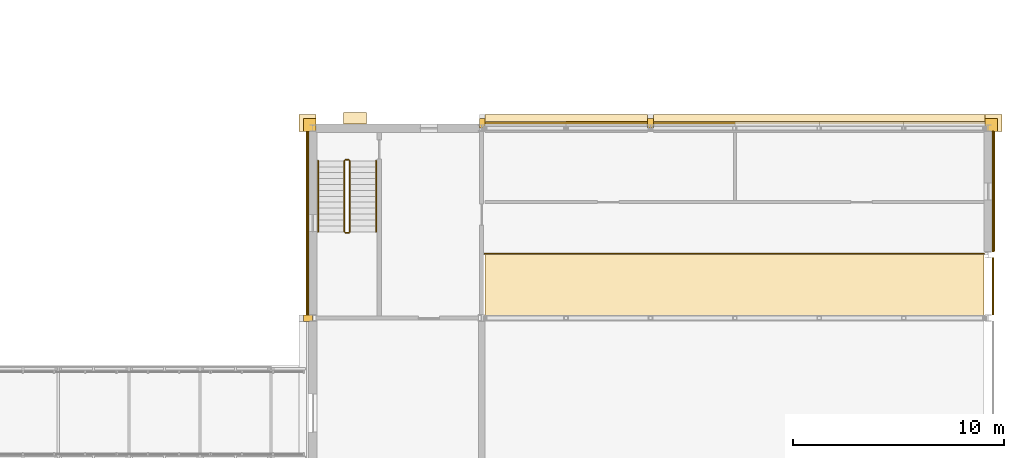
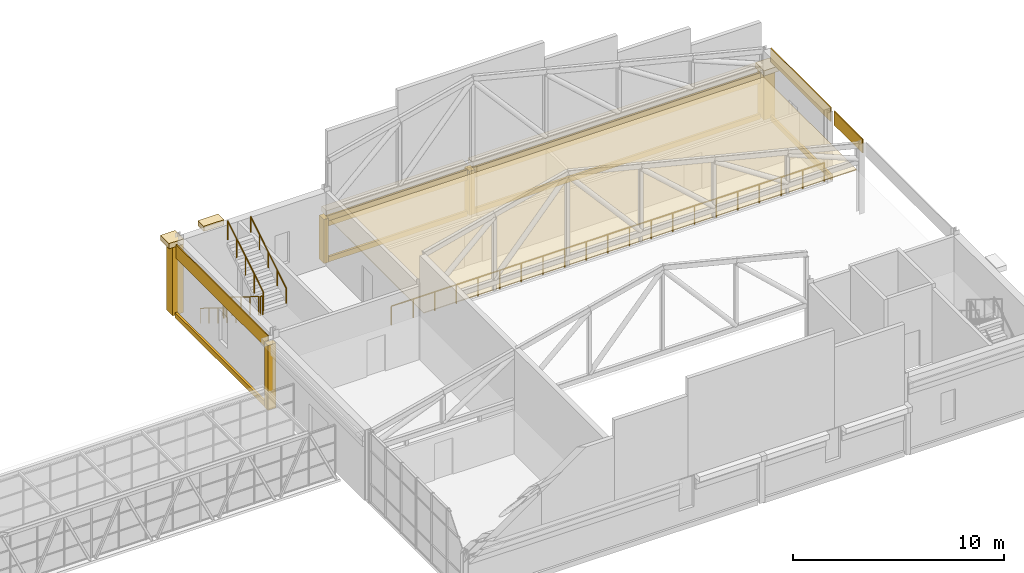
# One storey, part 146 of 149: 22 coverings, 7 railings.
"""IFC4 building model written with IfcOpenShell, lengths in metres."""

from ifc_helpers import new_model, si_unit, direction, frame, origin, origin_2d, place, context, subcontext, project, spatial, rectangle, circle, extrude, material, layer, layer_set, type_object, element, save


model = new_model("IFC4")

# Units and contexts
model_context = context("Model", 3, precision=1e-05, world=origin(), true_north=direction((0.0, 1.0)))
body_context = subcontext(model_context, "Body", "Model", "MODEL_VIEW")
ifc_project = project(units=[si_unit("LENGTHUNIT", "METRE"), si_unit("AREAUNIT", "SQUARE_METRE"), si_unit("VOLUMEUNIT", "CUBIC_METRE"), si_unit("PLANEANGLEUNIT", "RADIAN"), si_unit("MASSUNIT", "GRAM", prefix="KILO")], contexts=[model_context])

# Site, building, storey
site_placement = place(None, origin())
site = spatial("IfcSite", under=ifc_project, at=site_placement, CompositionType="ELEMENT")
building_placement = place(site_placement, origin())
building = spatial("IfcBuilding", under=site, at=building_placement, Name="Kallimachos Central Library", CompositionType="ELEMENT")
storey_placement = place(building_placement, frame((0.0, 0.0, 9.89990234375)))
storey = spatial("IfcBuildingStorey", under=building, at=storey_placement, Name="L02", CompositionType="ELEMENT", Elevation=9.89990234375)

# Covering
ifc_material_1 = material(Name="Perforated plaster panel")
ifc_layer_1 = layer(ifc_material_1, 0.050048828125)
ifc_layer_set_1 = layer_set([ifc_layer_1], Name="Acoustic ceiling 50")
covering_type_1 = type_object("IfcCoveringType", Name="Acoustic ceiling 50", PredefinedType="CEILING", material=ifc_layer_set_1)
covering_1_placement = place(storey_placement, frame((157.97509765625, 109.39990234375, 2.5), z_axis=(0.0, 0.0, 1.0), x_axis=(1.0, 0.0, 0.0)))
element("IfcCovering", 1, at=covering_1_placement, inside=storey, type_object=covering_type_1, Name="Acoustic ceiling", PredefinedType="CEILING", context=body_context, shape_type="SweptSolid", body=[
    extrude(rectangle(XDim=23.64990234375, YDim=8.800048828125, at=origin_2d()), origin(), (0.0, 0.0, 1.0), 0.050048828125),
])

# Railing
ifc_material_2 = material(Name="Wrought iron")
railing_type_1 = type_object("IfcRailingType", Name="Balcony guard 1100", PredefinedType="GUARDRAIL", material=ifc_material_2)
railing_1_placement = place(storey_placement, frame((146.14990234375, 108.050048828125, 0.0)))
element("IfcRailing", 2, at=railing_1_placement, inside=storey, type_object=railing_type_1, Name="Upper gallery guard", PredefinedType="GUARDRAIL", context=body_context, shape_type="SweptSolid", body=[
    extrude(circle(Radius=0.02392578125, at=origin_2d()), frame((0.0, 0.0, 1.076171875), z_axis=(1.0, 0.0, 0.0), x_axis=(0.0, 1.0, 0.0)), (0.0, 0.0, 1.0), 23.650146484375),
    extrude(circle(Radius=0.02099609375, at=origin_2d()), origin(), (0.0, 0.0, 1.0), 1.052001953125),
    extrude(circle(Radius=0.02099609375, at=origin_2d()), frame((1.1826171875, 0.0, 0.0)), (0.0, 0.0, 1.0), 1.052001953125),
    extrude(circle(Radius=0.02099609375, at=origin_2d()), frame((2.364990234375, 0.0, 0.0)), (0.0, 0.0, 1.0), 1.052001953125),
    extrude(circle(Radius=0.02099609375, at=origin_2d()), frame((3.547607421875, 0.0, 0.0)), (0.0, 0.0, 1.0), 1.052001953125),
    extrude(circle(Radius=0.02099609375, at=origin_2d()), frame((4.72998046875, 0.0, 0.0)), (0.0, 0.0, 1.0), 1.052001953125),
    extrude(circle(Radius=0.02099609375, at=origin_2d()), frame((5.91259765625, 0.0, 0.0)), (0.0, 0.0, 1.0), 1.052001953125),
    extrude(circle(Radius=0.02099609375, at=origin_2d()), frame((7.094970703125, 0.0, 0.0)), (0.0, 0.0, 1.0), 1.052001953125),
    extrude(circle(Radius=0.02099609375, at=origin_2d()), frame((8.277587890625, 0.0, 0.0)), (0.0, 0.0, 1.0), 1.052001953125),
    extrude(circle(Radius=0.02099609375, at=origin_2d()), frame((9.4599609375, 0.0, 0.0)), (0.0, 0.0, 1.0), 1.052001953125),
    extrude(circle(Radius=0.02099609375, at=origin_2d()), frame((10.642578125, 0.0, 0.0)), (0.0, 0.0, 1.0), 1.052001953125),
    extrude(circle(Radius=0.02099609375, at=origin_2d()), frame((11.8251953125, 0.0, 0.0)), (0.0, 0.0, 1.0), 1.052001953125),
    extrude(circle(Radius=0.02099609375, at=origin_2d()), frame((13.007568359375, 0.0, 0.0)), (0.0, 0.0, 1.0), 1.052001953125),
    extrude(circle(Radius=0.02099609375, at=origin_2d()), frame((14.190185546875, 0.0, 0.0)), (0.0, 0.0, 1.0), 1.052001953125),
    extrude(circle(Radius=0.02099609375, at=origin_2d()), frame((15.37255859375, 0.0, 0.0)), (0.0, 0.0, 1.0), 1.052001953125),
    extrude(circle(Radius=0.02099609375, at=origin_2d()), frame((16.55517578125, 0.0, 0.0)), (0.0, 0.0, 1.0), 1.052001953125),
    extrude(circle(Radius=0.02099609375, at=origin_2d()), frame((17.737548828125, 0.0, 0.0)), (0.0, 0.0, 1.0), 1.052001953125),
    extrude(circle(Radius=0.02099609375, at=origin_2d()), frame((18.920166015625, 0.0, 0.0)), (0.0, 0.0, 1.0), 1.052001953125),
    extrude(circle(Radius=0.02099609375, at=origin_2d()), frame((20.1025390625, 0.0, 0.0)), (0.0, 0.0, 1.0), 1.052001953125),
    extrude(circle(Radius=0.02099609375, at=origin_2d()), frame((21.28515625, 0.0, 0.0)), (0.0, 0.0, 1.0), 1.052001953125),
    extrude(circle(Radius=0.02099609375, at=origin_2d()), frame((22.467529296875, 0.0, 0.0)), (0.0, 0.0, 1.0), 1.052001953125),
    extrude(circle(Radius=0.02099609375, at=origin_2d()), frame((23.650146484375, 0.0, 0.0)), (0.0, 0.0, 1.0), 1.052001953125),
])

# Coverings
ifc_material_3 = material(Name="Glazed ceramic mosaic")
ifc_layer_2 = layer(ifc_material_3, 0.06005859375)
ifc_layer_set_2 = layer_set([ifc_layer_2], Name="Ceramic mosaic frieze")
covering_type_2 = type_object("IfcCoveringType", Name="Ceramic mosaic frieze", PredefinedType="CLADDING", material=ifc_layer_set_2)
covering_2_placement = place(storey_placement, frame((170.22998046875, 106.5, 3.25), z_axis=(0.0, 0.0, 1.0), x_axis=(1.0, 0.0, 0.0)))
element("IfcCovering", 3, at=covering_2_placement, inside=storey, type_object=covering_type_2, Name="Ceramic mosaic frieze", PredefinedType="CLADDING", context=body_context, shape_type="SweptSolid", body=[
    extrude(rectangle(XDim=0.06005859375, YDim=2.699951171875, at=origin_2d()), origin(), (0.0, 0.0, 1.0), 0.800048828125),
])
covering_3_placement = place(storey_placement, frame((170.22998046875, 111.0, 3.25), z_axis=(0.0, 0.0, 1.0), x_axis=(1.0, 0.0, 0.0)))
element("IfcCovering", 4, at=covering_3_placement, inside=storey, type_object=covering_type_2, Name="Ceramic mosaic frieze", PredefinedType="CLADDING", context=body_context, shape_type="SweptSolid", body=[
    extrude(rectangle(XDim=0.06005859375, YDim=5.699951171875, at=origin_2d()), origin(), (0.0, 0.0, 1.0), 0.800048828125),
])
covering_4_placement = place(storey_placement, frame((137.77001953125, 109.5, 3.25), z_axis=(0.0, 0.0, 1.0), x_axis=(1.0, 0.0, 0.0)))
element("IfcCovering", 5, at=covering_4_placement, inside=storey, type_object=covering_type_2, Name="Ceramic mosaic frieze", PredefinedType="CLADDING", context=body_context, shape_type="SweptSolid", body=[
    extrude(rectangle(XDim=0.06005859375, YDim=8.699951171875, at=origin_2d()), origin(), (0.0, 0.0, 1.0), 0.800048828125),
])
ifc_material_4 = material(Name="Glazed ceramic frieze, green")
ifc_layer_3 = layer(ifc_material_4, 0.10009765625)
ifc_layer_set_3 = layer_set([ifc_layer_3], Name="Glazed ceramic frieze, green")
covering_type_3 = type_object("IfcCoveringType", Name="Glazed ceramic frieze, green", PredefinedType="CLADDING", material=ifc_layer_set_3)
covering_5_placement = place(storey_placement, frame((150.0, 114.25, 2.22998046875), z_axis=(0.0, 0.0, 1.0), x_axis=(1.0, 0.0, 0.0)))
element("IfcCovering", 6, at=covering_5_placement, inside=storey, type_object=covering_type_3, Name="Glazed ceramic frieze, green -L02-009", PredefinedType="CLADDING", context=body_context, shape_type="SweptSolid", body=[
    extrude(rectangle(XDim=7.699951171875, YDim=0.10009765625, at=origin_2d()), origin(), (0.0, 0.0, 1.0), 0.300048828125),
])
covering_6_placement = place(storey_placement, frame((162.0, 114.25, 2.22998046875), z_axis=(0.0, 0.0, 1.0), x_axis=(1.0, 0.0, 0.0)))
element("IfcCovering", 7, at=covering_6_placement, inside=storey, type_object=covering_type_3, Name="Glazed ceramic frieze, green -L02-010", PredefinedType="CLADDING", context=body_context, shape_type="SweptSolid", body=[
    extrude(rectangle(XDim=15.699951171875, YDim=0.10009765625, at=origin_2d()), origin(), (0.0, 0.0, 1.0), 0.300048828125),
])
ifc_material_5 = material(Name="Glazed ceramic frieze, ochre")
ifc_layer_4 = layer(ifc_material_5, 0.10009765625)
ifc_layer_set_4 = layer_set([ifc_layer_4], Name="Glazed ceramic frieze, ochre")
covering_type_4 = type_object("IfcCoveringType", Name="Glazed ceramic frieze, ochre", PredefinedType="CLADDING", material=ifc_layer_set_4)
covering_7_placement = place(storey_placement, frame((150.0, 114.25, 1.93017578125), z_axis=(0.0, 0.0, 1.0), x_axis=(1.0, 0.0, 0.0)))
element("IfcCovering", 8, at=covering_7_placement, inside=storey, type_object=covering_type_4, Name="Glazed ceramic frieze, ochre -L02-009", PredefinedType="CLADDING", context=body_context, shape_type="SweptSolid", body=[
    extrude(rectangle(XDim=7.699951171875, YDim=0.10009765625, at=origin_2d()), origin(), (0.0, 0.0, 1.0), 0.300048828125),
])
covering_8_placement = place(storey_placement, frame((162.0, 114.25, 1.93017578125), z_axis=(0.0, 0.0, 1.0), x_axis=(1.0, 0.0, 0.0)))
element("IfcCovering", 9, at=covering_8_placement, inside=storey, type_object=covering_type_4, Name="Glazed ceramic frieze, ochre -L02-010", PredefinedType="CLADDING", context=body_context, shape_type="SweptSolid", body=[
    extrude(rectangle(XDim=15.699951171875, YDim=0.10009765625, at=origin_2d()), origin(), (0.0, 0.0, 1.0), 0.300048828125),
])

# Railings
ifc_material_6 = material(Name="Steel S355J2", Category="steel")
railing_type_2 = type_object("IfcRailingType", Name="Stair guard 1100", PredefinedType="GUARDRAIL", material=ifc_material_6)
railing_2_placement = place(storey_placement, frame((139.5, 112.449951171875, 0.173095703125)))
element("IfcRailing", 10, at=railing_2_placement, inside=storey, type_object=railing_type_2, Name="L02 ST8 stair guard 1", PredefinedType="GUARDRAIL", context=body_context, shape_type="SweptSolid", body=[
    extrude(circle(Radius=0.02392578125, at=origin_2d()), frame((0.0, 0.0, 1.076171875), z_axis=(0.0, -0.850606129759, 0.525803396734), x_axis=(1.0, 0.0, 0.0)), (0.0, 0.0, 1.0), 3.949951171875),
    extrude(circle(Radius=0.02099609375, at=origin_2d()), origin(), (0.0, 0.0, 1.0), 1.052001953125),
    extrude(circle(Radius=0.02099609375, at=origin_2d()), frame((0.0, -0.83984375, 0.519287109375)), (0.0, 0.0, 1.0), 1.052001953125),
    extrude(circle(Radius=0.02099609375, at=origin_2d()), frame((0.0, -1.679931640625, 1.03857421875)), (0.0, 0.0, 1.0), 1.052001953125),
    extrude(circle(Radius=0.02099609375, at=origin_2d()), frame((0.0, -2.52001953125, 1.5576171875)), (0.0, 0.0, 1.0), 1.052001953125),
    extrude(circle(Radius=0.02099609375, at=origin_2d()), frame((0.0, -3.35986328125, 2.076904296875)), (0.0, 0.0, 1.0), 1.052001953125),
])
railing_3_placement = place(storey_placement, frame((139.550048828125, 109.0400390625, 2.25)))
element("IfcRailing", 11, at=railing_3_placement, inside=storey, type_object=railing_type_2, Name="L02 ST8 stair guard 2", PredefinedType="GUARDRAIL", context=body_context, shape_type="SweptSolid", body=[
    extrude(circle(Radius=0.02392578125, at=origin_2d()), frame((0.0, 0.0, 1.076171875), z_axis=(1.0, 0.0, 0.0), x_axis=(0.0, 1.0, 0.0)), (0.0, 0.0, 1.0), 0.14990234375),
    extrude(circle(Radius=0.02099609375, at=origin_2d()), origin(), (0.0, 0.0, 1.0), 1.052001953125),
    extrude(circle(Radius=0.02099609375, at=origin_2d()), frame((0.14990234375, 0.0, 0.0)), (0.0, 0.0, 1.0), 1.052001953125),
])
railing_4_placement = place(storey_placement, frame((139.75, 109.090087890625, 2.423095703125)))
element("IfcRailing", 12, at=railing_4_placement, inside=storey, type_object=railing_type_2, Name="L02 ST8 stair guard 3", PredefinedType="GUARDRAIL", context=body_context, shape_type="SweptSolid", body=[
    extrude(circle(Radius=0.02392578125, at=origin_2d()), frame((0.0, 0.0, 1.076171875), z_axis=(0.0, 0.850606129759, 0.525803396734), x_axis=(-1.0, 0.0, 0.0)), (0.0, 0.0, 1.0), 3.949951171875),
    extrude(circle(Radius=0.02099609375, at=origin_2d()), origin(), (0.0, 0.0, 1.0), 1.052001953125),
    extrude(circle(Radius=0.02099609375, at=origin_2d()), frame((0.0, 0.83984375, 0.519287109375)), (0.0, 0.0, 1.0), 1.052001953125),
    extrude(circle(Radius=0.02099609375, at=origin_2d()), frame((0.0, 1.679931640625, 1.03857421875)), (0.0, 0.0, 1.0), 1.052001953125),
    extrude(circle(Radius=0.02099609375, at=origin_2d()), frame((0.0, 2.52001953125, 1.5576171875)), (0.0, 0.0, 1.0), 1.052001953125),
    extrude(circle(Radius=0.02099609375, at=origin_2d()), frame((0.0, 3.35986328125, 2.076904296875)), (0.0, 0.0, 1.0), 1.052001953125),
])
railing_5_placement = place(storey_placement, frame((139.550048828125, 112.5, 0.0)))
element("IfcRailing", 13, at=railing_5_placement, inside=storey, type_object=railing_type_2, Name="L02 ST8 stair guard 4", PredefinedType="GUARDRAIL", context=body_context, shape_type="SweptSolid", body=[
    extrude(circle(Radius=0.02392578125, at=origin_2d()), frame((0.0, 0.0, 1.076171875), z_axis=(1.0, 0.0, 0.0), x_axis=(0.0, 1.0, 0.0)), (0.0, 0.0, 1.0), 0.14990234375),
    extrude(circle(Radius=0.02099609375, at=origin_2d()), origin(), (0.0, 0.0, 1.0), 1.052001953125),
    extrude(circle(Radius=0.02099609375, at=origin_2d()), frame((0.14990234375, 0.0, 0.0)), (0.0, 0.0, 1.0), 1.052001953125),
])
ifc_material_7 = material(Name="Steel S355J2", Category="steel")
railing_type_3 = type_object("IfcRailingType", Name="Stair handrail 900", PredefinedType="HANDRAIL", material=ifc_material_7)
railing_6_placement = place(storey_placement, frame((138.25, 112.449951171875, 0.173095703125)))
element("IfcRailing", 14, at=railing_6_placement, inside=storey, type_object=railing_type_3, Name="L02 ST8 stair handrail 1", PredefinedType="HANDRAIL", context=body_context, shape_type="SweptSolid", body=[
    extrude(circle(Radius=0.02392578125, at=origin_2d()), frame((0.0, 0.0, 0.8759765625), z_axis=(0.0, -0.850606129759, 0.525803396734), x_axis=(1.0, 0.0, 0.0)), (0.0, 0.0, 1.0), 3.949951171875),
    extrude(circle(Radius=0.02099609375, at=origin_2d()), origin(), (0.0, 0.0, 1.0), 0.851806640625),
    extrude(circle(Radius=0.02099609375, at=origin_2d()), frame((0.0, -0.83984375, 0.519287109375)), (0.0, 0.0, 1.0), 0.851806640625),
    extrude(circle(Radius=0.02099609375, at=origin_2d()), frame((0.0, -1.679931640625, 1.03857421875)), (0.0, 0.0, 1.0), 0.851806640625),
    extrude(circle(Radius=0.02099609375, at=origin_2d()), frame((0.0, -2.52001953125, 1.5576171875)), (0.0, 0.0, 1.0), 0.851806640625),
    extrude(circle(Radius=0.02099609375, at=origin_2d()), frame((0.0, -3.35986328125, 2.076904296875)), (0.0, 0.0, 1.0), 0.851806640625),
])
railing_7_placement = place(storey_placement, frame((141.0, 109.090087890625, 2.423095703125)))
element("IfcRailing", 15, at=railing_7_placement, inside=storey, type_object=railing_type_3, Name="L02 ST8 stair handrail 2", PredefinedType="HANDRAIL", context=body_context, shape_type="SweptSolid", body=[
    extrude(circle(Radius=0.02392578125, at=origin_2d()), frame((0.0, 0.0, 0.8759765625), z_axis=(0.0, 0.850606129759, 0.525803396734), x_axis=(-1.0, 0.0, 0.0)), (0.0, 0.0, 1.0), 3.949951171875),
    extrude(circle(Radius=0.02099609375, at=origin_2d()), origin(), (0.0, 0.0, 1.0), 0.851806640625),
    extrude(circle(Radius=0.02099609375, at=origin_2d()), frame((0.0, 0.83984375, 0.519287109375)), (0.0, 0.0, 1.0), 0.851806640625),
    extrude(circle(Radius=0.02099609375, at=origin_2d()), frame((0.0, 1.679931640625, 1.03857421875)), (0.0, 0.0, 1.0), 0.851806640625),
    extrude(circle(Radius=0.02099609375, at=origin_2d()), frame((0.0, 2.52001953125, 1.5576171875)), (0.0, 0.0, 1.0), 0.851806640625),
    extrude(circle(Radius=0.02099609375, at=origin_2d()), frame((0.0, 3.35986328125, 2.076904296875)), (0.0, 0.0, 1.0), 0.851806640625),
])

# Coverings
ifc_material_8 = material(Name="Pentelic marble attic moulding", Category="masonry")
ifc_layer_5 = layer(ifc_material_8, 0.1201171875)
ifc_layer_set_5 = layer_set([ifc_layer_5], Name="Stone attic moulding 300")
covering_type_5 = type_object("IfcCoveringType", Name="Stone attic moulding 300", PredefinedType="MOLDING", material=ifc_layer_set_5)
covering_9_placement = place(storey_placement, frame((137.739990234375, 109.5, -0.14990234375), z_axis=(0.0, 0.0, 1.0), x_axis=(1.0, 0.0, 0.0)))
element("IfcCovering", 16, at=covering_9_placement, inside=storey, type_object=covering_type_5, Name="Stone attic moulding 300 -L02-002", PredefinedType="MOLDING", context=body_context, shape_type="SweptSolid", body=[
    extrude(rectangle(XDim=0.1201171875, YDim=8.699951171875, at=origin_2d()), origin(), (0.0, 0.0, 1.0), 0.300048828125),
])
covering_10_placement = place(storey_placement, frame((170.260009765625, 111.0, -0.14990234375), z_axis=(0.0, 0.0, 1.0), x_axis=(1.0, 0.0, 0.0)))
element("IfcCovering", 17, at=covering_10_placement, inside=storey, type_object=covering_type_5, Name="Stone attic moulding 300 -L02-004", PredefinedType="MOLDING", context=body_context, shape_type="SweptSolid", body=[
    extrude(rectangle(XDim=0.1201171875, YDim=5.699951171875, at=origin_2d()), origin(), (0.0, 0.0, 1.0), 0.300048828125),
])
covering_11_placement = place(storey_placement, frame((150.0, 114.260009765625, -0.14990234375), z_axis=(0.0, 0.0, 1.0), x_axis=(1.0, 0.0, 0.0)))
element("IfcCovering", 18, at=covering_11_placement, inside=storey, type_object=covering_type_5, Name="Stone attic moulding 300 -L02-009", PredefinedType="MOLDING", context=body_context, shape_type="SweptSolid", body=[
    extrude(rectangle(XDim=7.699951171875, YDim=0.1201171875, at=origin_2d()), origin(), (0.0, 0.0, 1.0), 0.300048828125),
])
covering_12_placement = place(storey_placement, frame((162.0, 114.260009765625, -0.14990234375), z_axis=(0.0, 0.0, 1.0), x_axis=(1.0, 0.0, 0.0)))
element("IfcCovering", 19, at=covering_12_placement, inside=storey, type_object=covering_type_5, Name="Stone attic moulding 300 -L02-010", PredefinedType="MOLDING", context=body_context, shape_type="SweptSolid", body=[
    extrude(rectangle(XDim=15.699951171875, YDim=0.1201171875, at=origin_2d()), origin(), (0.0, 0.0, 1.0), 0.300048828125),
])
ifc_material_9 = material(Name="Pentelic marble cap", Category="masonry")
ifc_layer_6 = layer(ifc_material_9, 0.300048828125)
ifc_layer_set_6 = layer_set([ifc_layer_6], Name="Stone buttress cap 450")
covering_type_6 = type_object("IfcCoveringType", Name="Stone buttress cap 450", PredefinedType="MOLDING", material=ifc_layer_set_6)
covering_13_placement = place(storey_placement, frame((140.0, 114.47509765625, 4.0), z_axis=(0.0, 0.0, 1.0), x_axis=(1.0, 0.0, 0.0)))
element("IfcCovering", 20, at=covering_13_placement, inside=storey, type_object=covering_type_6, Name="Stone buttress cap", PredefinedType="MOLDING", context=body_context, shape_type="SweptSolid", body=[
    extrude(rectangle(XDim=1.10009765625, YDim=0.550048828125, at=origin_2d()), origin(), (0.0, 0.0, 1.0), 0.300048828125),
])
ifc_material_10 = material(Name="Pentelic marble cornice", Category="masonry")
ifc_layer_7 = layer(ifc_material_10, 0.449951171875)
ifc_layer_set_7 = layer_set([ifc_layer_7], Name="Stone cornice 450")
covering_type_7 = type_object("IfcCoveringType", Name="Stone cornice 450", PredefinedType="MOLDING", material=ifc_layer_set_7)
covering_14_placement = place(storey_placement, frame((150.0, 114.425048828125, 2.55029296875), z_axis=(0.0, 0.0, 1.0), x_axis=(1.0, 0.0, 0.0)))
element("IfcCovering", 21, at=covering_14_placement, inside=storey, type_object=covering_type_7, Name="Stone cornice 450 -L02-009", PredefinedType="MOLDING", context=body_context, shape_type="SweptSolid", body=[
    extrude(rectangle(XDim=7.699951171875, YDim=0.449951171875, at=origin_2d()), origin(), (0.0, 0.0, 1.0), 0.300048828125),
])
covering_15_placement = place(storey_placement, frame((162.0, 114.425048828125, 2.55029296875), z_axis=(0.0, 0.0, 1.0), x_axis=(1.0, 0.0, 0.0)))
element("IfcCovering", 22, at=covering_15_placement, inside=storey, type_object=covering_type_7, Name="Stone cornice 450 -L02-010", PredefinedType="MOLDING", context=body_context, shape_type="SweptSolid", body=[
    extrude(rectangle(XDim=15.699951171875, YDim=0.449951171875, at=origin_2d()), origin(), (0.0, 0.0, 1.0), 0.300048828125),
])
for number, where, z_axis, x_axis, name in (
    (23, (137.75, 114.25, 3.9501953125), (0.0, 0.0, 1.0), (1.0, 0.0, 0.0), "Stone cornice 450 corner"),
    (24, (170.25, 114.25, 2.55029296875), (0.0, 0.0, 1.0), (1.0, 0.0, 0.0), "Stone cornice 450 corner"),
):
    element("IfcCovering", number, at=place(storey_placement, frame(where, z_axis=z_axis, x_axis=x_axis)), inside=storey, type_object=covering_type_7, Name=name, PredefinedType="MOLDING", context=body_context, shape_type="SweptSolid", body=[
        extrude(rectangle(XDim=0.800048828125, YDim=0.800048828125, at=origin_2d()), origin(), (0.0, 0.0, 1.0), 0.300048828125),
    ])
ifc_material_11 = material(Name="Pentelic marble pilaster", Category="masonry")
ifc_layer_8 = layer(ifc_material_11, 0.25)
ifc_layer_set_8 = layer_set([ifc_layer_8], Name="Stone pilaster 250")
covering_type_8 = type_object("IfcCoveringType", Name="Stone pilaster 250", PredefinedType="CLADDING", material=ifc_layer_set_8)
covering_16_placement = place(storey_placement, frame((137.77490234375, 105.0, 0.0), z_axis=(0.0, 0.0, 1.0), x_axis=(1.0, 0.0, 0.0)))
element("IfcCovering", 25, at=covering_16_placement, inside=storey, type_object=covering_type_8, Name="Stone pilaster 250 -L02-001", PredefinedType="CLADDING", context=body_context, shape_type="SweptSolid", body=[
    extrude(rectangle(XDim=0.449951171875, YDim=0.300048828125, at=origin_2d()), origin(), (0.0, 0.0, 1.0), 3.75),
])
covering_17_placement = place(storey_placement, frame((146.02490234375, 114.22509765625, 0.0), z_axis=(0.0, 0.0, 1.0), x_axis=(1.0, 0.0, 0.0)))
element("IfcCovering", 26, at=covering_17_placement, inside=storey, type_object=covering_type_8, Name="Stone pilaster 250 -L02-008", PredefinedType="CLADDING", context=body_context, shape_type="SweptSolid", body=[
    extrude(rectangle(XDim=0.25, YDim=0.449951171875, at=origin_2d()), origin(), (0.0, 0.0, 1.0), 2.550048828125),
])
covering_18_placement = place(storey_placement, frame((154.0, 114.22509765625, 0.0), z_axis=(0.0, 0.0, 1.0), x_axis=(1.0, 0.0, 0.0)))
element("IfcCovering", 27, at=covering_18_placement, inside=storey, type_object=covering_type_8, Name="Stone pilaster 250 -L02-009", PredefinedType="CLADDING", context=body_context, shape_type="SweptSolid", body=[
    extrude(rectangle(XDim=0.300048828125, YDim=0.449951171875, at=origin_2d()), origin(), (0.0, 0.0, 1.0), 2.550048828125),
])
covering_19_placement = place(storey_placement, frame((137.85009765625, 114.14990234375, 0.0), z_axis=(0.0, 0.0, 1.0), x_axis=(1.0, 0.0, 0.0)))
element("IfcCovering", 28, at=covering_19_placement, inside=storey, type_object=covering_type_8, Name="Stone pilaster 250 corner", PredefinedType="CLADDING", context=body_context, shape_type="SweptSolid", body=[
    extrude(rectangle(XDim=0.60009765625, YDim=0.60009765625, at=origin_2d()), origin(), (0.0, 0.0, 1.0), 3.949951171875),
])
covering_20_placement = place(storey_placement, frame((170.14990234375, 114.14990234375, 0.0), z_axis=(0.0, 0.0, 1.0), x_axis=(1.0, 0.0, 0.0)))
element("IfcCovering", 29, at=covering_20_placement, inside=storey, type_object=covering_type_8, Name="Stone pilaster 250 corner", PredefinedType="CLADDING", context=body_context, shape_type="SweptSolid", body=[
    extrude(rectangle(XDim=0.60009765625, YDim=0.60009765625, at=origin_2d()), origin(), (0.0, 0.0, 1.0), 2.550048828125),
])

save(model, "model.ifc")
